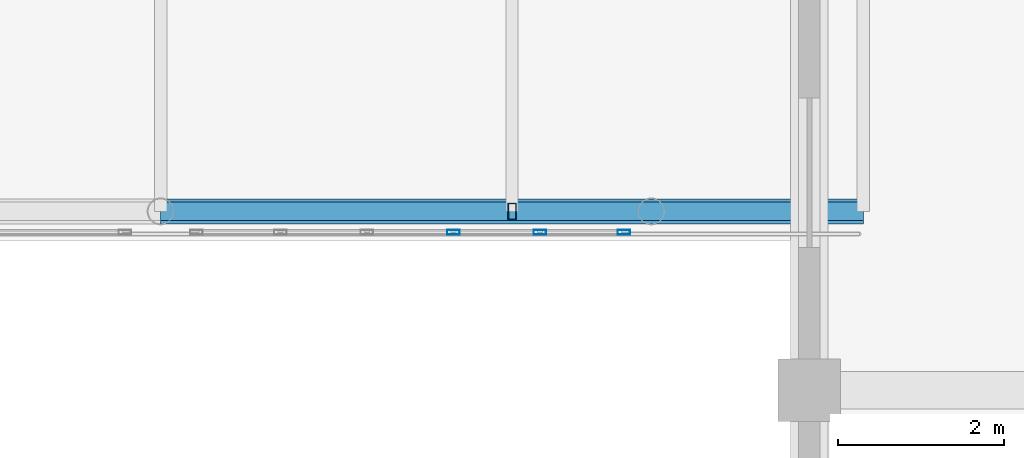
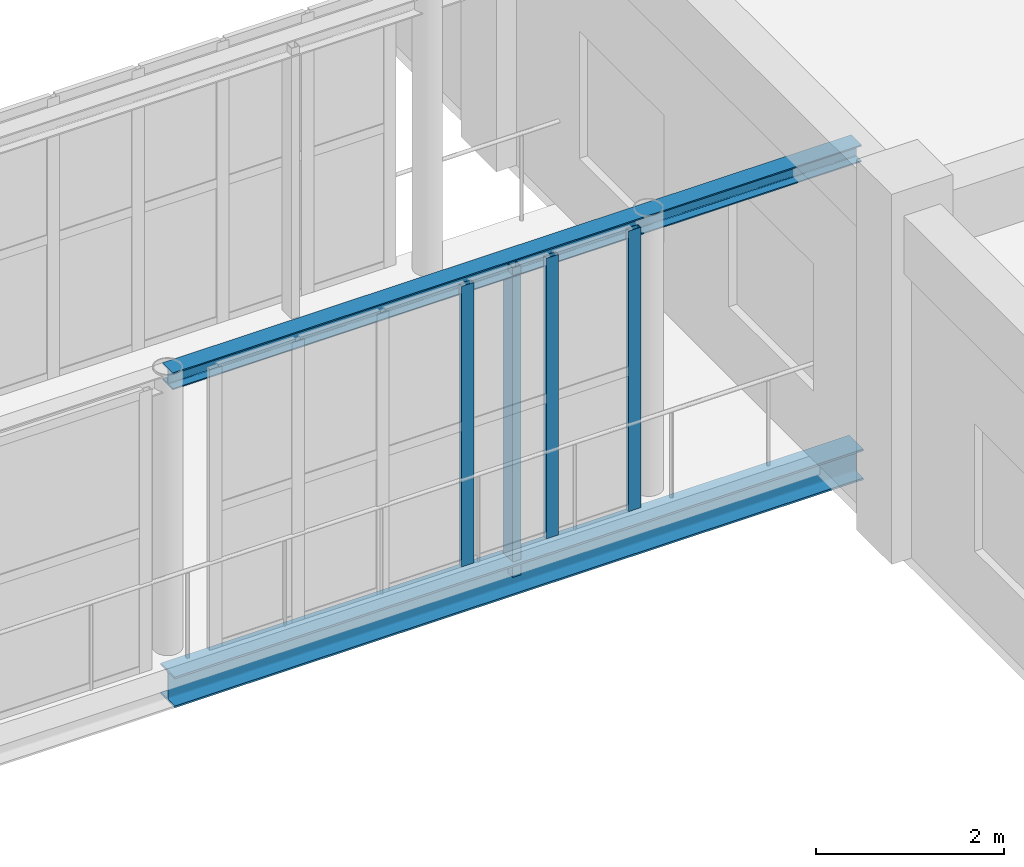
# One storey, part 73 of 167: 5 members, 1 beam, 1 element without a shape of its own.
"""IFC4 building model written with IfcOpenShell, lengths in metres."""

import ifcopenshell
import ifcopenshell.guid

model = None  # the IFC model being written
_history = None  # IfcOwnerHistory: only IFC2X3 demands one
_inside = {}  # id of a spatial element -> (the spatial element, [elements in it])
_under = {}  # id of a project, library or spatial element -> (it, [spatial elements below it])
_declared = {}  # id of a project -> (the project, [libraries it declares])
_typed = {}  # id of a type object -> (the type object, [elements of that type])
_made_of = {}  # id of a material, layer set ... -> (it, [elements and type objects made of it])


def new_model(schema):
    """Start an empty IFC model of exactly this schema.

    Asked for "IFC4X3", IfcOpenShell would pick the latest addendum, in which some entities
    have other attributes; the version numbers below select the first issue.
    IFC2X3 requires an IfcOwnerHistory on every rooted entity: one is made here for all.
    """
    global model, _history
    if schema == "IFC4X3":
        model = ifcopenshell.file(schema_version=(4, 3, 0, 0))
    else:
        model = ifcopenshell.file(schema=schema)
    _inside.clear()
    _under.clear()
    _declared.clear()
    _typed.clear()
    _made_of.clear()
    _history = None
    if model.schema == "IFC2X3":
        org = make("IfcOrganization", Name="unknown")
        user = make(
            "IfcPersonAndOrganization",
            ThePerson=make("IfcPerson", FamilyName="unknown"),
            TheOrganization=org,
        )
        app = make(
            "IfcApplication",
            ApplicationDeveloper=org,
            Version="unknown",
            ApplicationFullName="unknown",
            ApplicationIdentifier="unknown",
        )
        _history = make(
            "IfcOwnerHistory",
            OwningUser=user,
            OwningApplication=app,
            ChangeAction="ADDED",
            CreationDate=0,
        )
    return model


def make(cls, **values):
    """One entity of the class cls with the attributes given. An attribute that is None is left unset."""
    return model.create_entity(
        cls, **{name: value for name, value in values.items() if value is not None}
    )


def rooted(cls, **values):
    """An entity with a GlobalId (a new one), such as an element, a storey or a relation."""
    return make(cls, GlobalId=ifcopenshell.guid.new(), OwnerHistory=_history, **values)


def si_unit(unit_type, name, prefix=None):
    """IfcSIUnit, for example si_unit("LENGTHUNIT", "METRE", prefix="MILLI")."""
    return make("IfcSIUnit", UnitType=unit_type, Prefix=prefix, Name=name)


def assignment(units):
    """IfcUnitAssignment: the units of a project."""
    return None if units is None else make("IfcUnitAssignment", Units=units)


def point(xyz):
    """IfcCartesianPoint."""
    return None if xyz is None else make("IfcCartesianPoint", Coordinates=xyz)


def direction(xyz):
    """IfcDirection."""
    return None if xyz is None else make("IfcDirection", DirectionRatios=xyz)


def frame(location, z_axis=None, x_axis=None):
    """IfcAxis2Placement3D, a coordinate frame: its origin and axes. An axis left out is left unset."""
    return make(
        "IfcAxis2Placement3D",
        Location=point(location),
        Axis=direction(z_axis),
        RefDirection=direction(x_axis),
    )


def frame_2d(location, x_axis=None):
    """IfcAxis2Placement2D, a coordinate frame in the plane: its origin and x axis."""
    return make(
        "IfcAxis2Placement2D", Location=point(location), RefDirection=direction(x_axis)
    )


def origin():
    """The frame at (0, 0, 0) with its axes left unset."""
    return frame((0.0, 0.0, 0.0))


def origin_2d():
    """The frame at (0, 0) in the plane with its x axis left unset."""
    return frame_2d((0.0, 0.0))


def place(relative_to, where):
    """IfcLocalPlacement: puts the frame where relative to a parent placement (None: the world)."""
    return make(
        "IfcLocalPlacement", PlacementRelTo=relative_to, RelativePlacement=where
    )


def context(
    kind, dimensions, precision=None, world=None, true_north=None, identifier=None
):
    """IfcGeometricRepresentationContext, for example the 3D "Model" context."""
    return make(
        "IfcGeometricRepresentationContext",
        ContextIdentifier=identifier,
        ContextType=kind,
        CoordinateSpaceDimension=dimensions,
        Precision=precision,
        WorldCoordinateSystem=world,
        TrueNorth=true_north,
    )


def subcontext(parent, identifier, kind, view, scale=None):
    """IfcGeometricRepresentationSubContext, for example "Body" below "Model"."""
    return make(
        "IfcGeometricRepresentationSubContext",
        ContextIdentifier=identifier,
        ContextType=kind,
        ParentContext=parent,
        TargetScale=scale,
        TargetView=view,
    )


def project(units=None, contexts=None):
    """IfcProject with its units and contexts."""
    return rooted(
        "IfcProject",
        Name="project",
        RepresentationContexts=contexts,
        UnitsInContext=assignment(units),
    )


def spatial(cls, under=None, at=None, **own):
    """A site, building, storey or space (cls), placed at a placement, below another one or the project."""
    s = rooted(cls, ObjectPlacement=at, **own)
    if under is not None:
        _under.setdefault(under.id(), (under, []))[1].append(s)
    return s


def profile(cls, at=None, kind="AREA", **sizes):
    """A parametric profile (cls). Its sizes go by their IFC names, for example OverallWidth=200.0."""
    return make(cls, ProfileType=kind, Position=at, **sizes)


def hollow_rectangle(**sizes):
    """IfcRectangleHollowProfileDef."""
    return profile("IfcRectangleHollowProfileDef", **sizes)


def i_section(**sizes):
    """IfcIShapeProfileDef."""
    return profile("IfcIShapeProfileDef", **sizes)


def extrude(swept, where, along, depth):
    """IfcExtrudedAreaSolid: the profile swept, set in the frame where, extruded along a direction by depth."""
    return make(
        "IfcExtrudedAreaSolid",
        SweptArea=swept,
        Position=where,
        ExtrudedDirection=direction(along),
        Depth=depth,
    )


def shape(context_of_items, identifier, shape_type, items):
    """IfcShapeRepresentation: the items that make up one representation, for example the "Body"."""
    return make(
        "IfcShapeRepresentation",
        ContextOfItems=context_of_items,
        RepresentationIdentifier=identifier,
        RepresentationType=shape_type,
        Items=items,
    )


def material(Name=None, Category=None):
    """IfcMaterial."""
    return make("IfcMaterial", Name=Name, Category=Category)


def layer(
    of_material, thickness, ventilated=None, Name=None, Category=None, Priority=None
):
    """IfcMaterialLayer: one layer of a wall or slab, of a material (None: an air gap)."""
    return make(
        "IfcMaterialLayer",
        Material=of_material,
        LayerThickness=thickness,
        IsVentilated=ventilated,
        Name=Name,
        Category=Category,
        Priority=Priority,
    )


def layer_set(layers, Name=None):
    """IfcMaterialLayerSet."""
    return make("IfcMaterialLayerSet", MaterialLayers=layers, LayerSetName=Name)


def material_profile(
    of_material, cross_section, Name=None, Category=None, Priority=None
):
    """IfcMaterialProfile: a cross section and its material."""
    return make(
        "IfcMaterialProfile",
        Name=Name,
        Material=of_material,
        Profile=cross_section,
        Priority=Priority,
        Category=Category,
    )


def profile_set(profiles, Name=None, composite=None):
    """IfcMaterialProfileSet."""
    return make(
        "IfcMaterialProfileSet",
        Name=Name,
        MaterialProfiles=profiles,
        CompositeProfile=composite,
    )


def made_of(thing, what):
    """Note that an element or type object is made of a material, layer set ...; save() writes the relation."""
    if what is not None:
        _made_of.setdefault(what.id(), (what, []))[1].append(thing)
    return thing


def type_object(cls, material=None, **own):
    """A type object (cls), such as IfcWallType, which elements share."""
    return made_of(rooted(cls, **own), material)


def element(
    cls,
    number,
    at=None,
    inside=None,
    cuts=None,
    type_object=None,
    material=None,
    context=None,
    identifier="Body",
    shape_type=None,
    held_by="IfcProductDefinitionShape",
    body=None,
    shapes=None,
    **own,
):
    """One element of the class cls, such as IfcWall. Its Tag is "e" and its number.

    at: its placement. inside: the storey or other place that contains it. cuts: it is an
    opening in that element (IfcRelVoidsElement). A single representation is given by context,
    identifier, shape_type and body (its items); several are given by shapes. held_by: the class
    of the entity that holds the representations. save() writes the other relations.
    """
    e = rooted(cls, Tag="e%d" % number, ObjectPlacement=at, **own)
    if body is not None:
        shapes = [shape(context, identifier, shape_type, body)]
    if shapes is not None:
        e.Representation = make(held_by, Representations=shapes)
    if inside is not None:
        _inside.setdefault(inside.id(), (inside, []))[1].append(e)
    if cuts is not None:
        rooted(
            "IfcRelVoidsElement", RelatingBuildingElement=cuts, RelatedOpeningElement=e
        )
    if type_object is not None:
        _typed.setdefault(type_object.id(), (type_object, []))[1].append(e)
    return made_of(e, material)


def aggregate(whole, parts):
    """IfcRelAggregates: a whole, such as a stair, and the parts it consists of."""
    return rooted("IfcRelAggregates", RelatingObject=whole, RelatedObjects=parts)


def save(model, path):
    """Write the relations noted so far, then the file.

    IfcRelAggregates (storeys below a building ...), IfcRelContainedInSpatialStructure (elements
    in a storey), IfcRelDefinesByType, IfcRelAssociatesMaterial and IfcRelDeclares: one each for
    every whole, place, type object, material and project.
    """
    for whole, parts in _under.values():
        aggregate(whole, parts)
    for where, things in _inside.values():
        rooted(
            "IfcRelContainedInSpatialStructure",
            RelatedElements=things,
            RelatingStructure=where,
        )
    for kind, things in _typed.values():
        rooted("IfcRelDefinesByType", RelatedObjects=things, RelatingType=kind)
    for what, things in _made_of.values():
        rooted("IfcRelAssociatesMaterial", RelatedObjects=things, RelatingMaterial=what)
    for by, libraries in _declared.values():
        rooted("IfcRelDeclares", RelatingContext=by, RelatedDefinitions=libraries)
    model.write(path)


model = new_model("IFC4")

# Units and contexts
model_context = context("Model", 3, precision=1e-05, world=origin(), true_north=direction((0.0, 1.0)))
body_context = subcontext(model_context, "Body", "Model", "MODEL_VIEW")
ifc_project = project(units=[si_unit("LENGTHUNIT", "METRE"), si_unit("AREAUNIT", "SQUARE_METRE"), si_unit("VOLUMEUNIT", "CUBIC_METRE"), si_unit("PLANEANGLEUNIT", "RADIAN"), si_unit("MASSUNIT", "GRAM", prefix="KILO")], contexts=[model_context])

# Site, building, storey
site_placement = place(None, origin())
site = spatial("IfcSite", under=ifc_project, at=site_placement, CompositionType="ELEMENT")
building_placement = place(site_placement, origin())
building = spatial("IfcBuilding", under=site, at=building_placement, Name="Zizhar Promenade General Hospital", CompositionType="ELEMENT")
storey_placement = place(building_placement, frame((0.0, 0.0, 9.60009765625)))
storey = spatial("IfcBuildingStorey", under=building, at=storey_placement, Name="L02", CompositionType="ELEMENT", Elevation=9.60009765625)

# Beam
ifc_material_1 = material(Name="Steel S355", Category="steel")
ifc_material_profile_1 = material_profile(ifc_material_1, i_section(OverallWidth=0.300048828125, OverallDepth=0.39990234375, WebThickness=0.013427734375, FlangeThickness=0.02392578125, FilletRadius=0.027099609375, at=origin_2d()))
ifc_profile_set_1 = profile_set([ifc_material_profile_1], Name="Steel S355")
beam_type = type_object("IfcBeamType", Name="BM-STL-HEB400", PredefinedType="BEAM", material=ifc_profile_set_1)
beam_placement = place(storey_placement, frame((117.0, 77.75, -0.5), z_axis=(1.0, 0.0, 0.0), x_axis=(0.0, 1.0, 0.0)))
element("IfcBeam", 1, at=beam_placement, inside=storey, type_object=beam_type, Name="SB-2 Bottom Chord 4S", PredefinedType="BEAM", context=body_context, shape_type="SweptSolid", body=[
    extrude(i_section(OverallWidth=0.300048828125, OverallDepth=0.39990234375, WebThickness=0.013427734375, FlangeThickness=0.02392578125, FilletRadius=0.027099609375, at=origin_2d()), origin(), (0.0, 0.0, 1.0), 8.449951171875),
])

# Curtain wall, members
ifc_material_2 = material(Name="Anodised aluminium 6063-T6 and low-E glass", Category="aluminium")
ifc_layer = layer(ifc_material_2, 0.159912109375)
ifc_layer_set = layer_set([ifc_layer], Name="Anodised aluminium 6063-T6 and low-E glass")
curtain_wall_type = type_object("IfcCurtainWallType", Name="CW-SKY-GLZ", PredefinedType="NOTDEFINED", material=ifc_layer_set)
curtain_wall_placement = place(storey_placement, origin())
curtain_wall = element("IfcCurtainWall", 2, at=curtain_wall_placement, inside=storey, type_object=curtain_wall_type, Name="Courtyard Surgical-Clinic Skybridge Level L02 South Glazing 4", PredefinedType="NOTDEFINED")
ifc_material_3 = material(Name="Anodised aluminium 6063-T6", Category="aluminium")
ifc_material_profile_2 = material_profile(ifc_material_3, hollow_rectangle(XDim=0.06005859375, YDim=0.14990234375, WallThickness=0.00390625, at=origin_2d()))
ifc_profile_set_2 = profile_set([ifc_material_profile_2], Name="Anodised aluminium 6063-T6")
member_type_1 = type_object("IfcMemberType", Name="CWM-ALU-150x60", PredefinedType="MULLION", material=ifc_profile_set_2)
member_1_placement = place(storey_placement, frame((122.570068359375, 77.5, 0.0), z_axis=(0.0, 0.0, 1.0), x_axis=(0.0, -1.0, 0.0)))
member_1 = element("IfcMember", 3, at=member_1_placement, type_object=member_type_1, Name="CW-15 mullion 1", PredefinedType="MULLION", context=body_context, shape_type="SweptSolid", body=[
    extrude(hollow_rectangle(XDim=0.06005859375, YDim=0.14990234375, WallThickness=0.00390625, at=origin_2d()), origin(), (0.0, 0.0, 1.0), 3.639892578125),
])
member_2_placement = place(storey_placement, frame((121.56005859375, 77.5, 0.0), z_axis=(0.0, 0.0, 1.0), x_axis=(0.0, -1.0, 0.0)))
member_2 = element("IfcMember", 4, at=member_2_placement, type_object=member_type_1, Name="CW-15 mullion 2", PredefinedType="MULLION", context=body_context, shape_type="SweptSolid", body=[
    extrude(hollow_rectangle(XDim=0.06005859375, YDim=0.14990234375, WallThickness=0.00390625, at=origin_2d()), origin(), (0.0, 0.0, 1.0), 3.639892578125),
])
member_3_placement = place(storey_placement, frame((120.52001953125, 77.5, 0.0), z_axis=(0.0, 0.0, 1.0), x_axis=(0.0, -1.0, 0.0)))
member_3 = element("IfcMember", 5, at=member_3_placement, type_object=member_type_1, Name="CW-15 mullion 3", PredefinedType="MULLION", context=body_context, shape_type="SweptSolid", body=[
    extrude(hollow_rectangle(XDim=0.06005859375, YDim=0.14990234375, WallThickness=0.00390625, at=origin_2d()), origin(), (0.0, 0.0, 1.0), 3.639892578125),
])
aggregate(curtain_wall, [member_1, member_2, member_3])

# Members
ifc_material_4 = material(Name="Steel S355", Category="steel")
ifc_material_profile_3 = material_profile(ifc_material_4, i_section(OverallWidth=0.219970703125, OverallDepth=0.219970703125, WebThickness=0.009521484375, FlangeThickness=0.01611328125, FilletRadius=0.01806640625, at=origin_2d()))
ifc_profile_set_3 = profile_set([ifc_material_profile_3], Name="Steel S355")
member_type_2 = type_object("IfcMemberType", Name="MEM-CHORD-HEB220", PredefinedType="CHORD", material=ifc_profile_set_3)
member_4_placement = place(storey_placement, frame((117.0, 77.75, 3.510009765625), z_axis=(1.0, 0.0, 0.0), x_axis=(0.0, 1.0, 0.0)))
element("IfcMember", 6, at=member_4_placement, inside=storey, type_object=member_type_2, Name="SB-2 Top Chord 4S", PredefinedType="CHORD", context=body_context, shape_type="SweptSolid", body=[
    extrude(i_section(OverallWidth=0.219970703125, OverallDepth=0.219970703125, WebThickness=0.009521484375, FlangeThickness=0.01611328125, FilletRadius=0.01806640625, at=origin_2d()), origin(), (0.0, 0.0, 1.0), 8.449951171875),
])
ifc_material_5 = material(Name="Steel S355", Category="steel")
ifc_material_profile_4 = material_profile(ifc_material_5, hollow_rectangle(XDim=0.10009765625, YDim=0.199951171875, WallThickness=0.008056640625, at=origin_2d()))
ifc_profile_set_4 = profile_set([ifc_material_profile_4], Name="Steel S355")
member_type_3 = type_object("IfcMemberType", Name="MEM-STRUT-RHS200", PredefinedType="STRUT", material=ifc_profile_set_4)
member_5_placement = place(storey_placement, frame((121.22509765625, 77.75, -0.5), z_axis=(0.0, 0.0, 1.0), x_axis=(1.0, 0.0, 0.0)))
element("IfcMember", 7, at=member_5_placement, inside=storey, type_object=member_type_3, Name="SB-2 Vierendeel Post 4S", PredefinedType="STRUT", context=body_context, shape_type="SweptSolid", body=[
    extrude(hollow_rectangle(XDim=0.10009765625, YDim=0.199951171875, WallThickness=0.008056640625, at=origin_2d()), origin(), (0.0, 0.0, 1.0), 4.010009765625),
])

save(model, "model.ifc")
